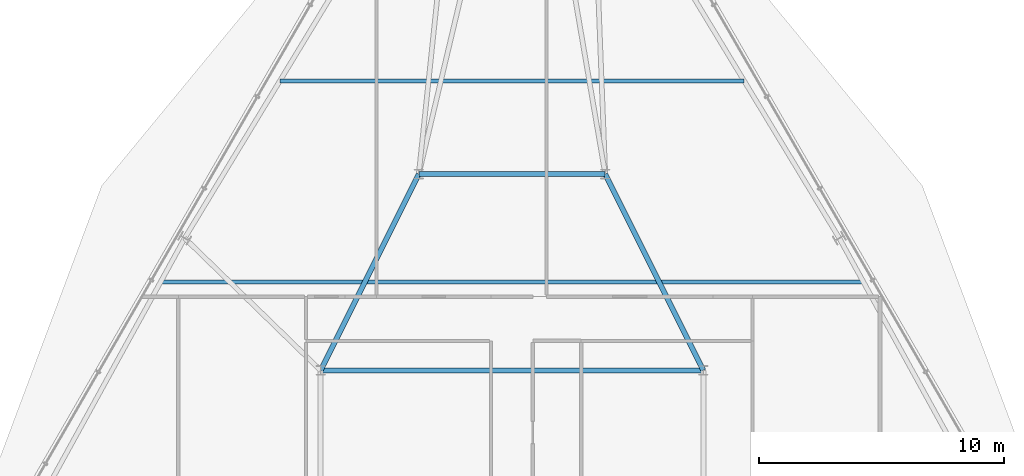
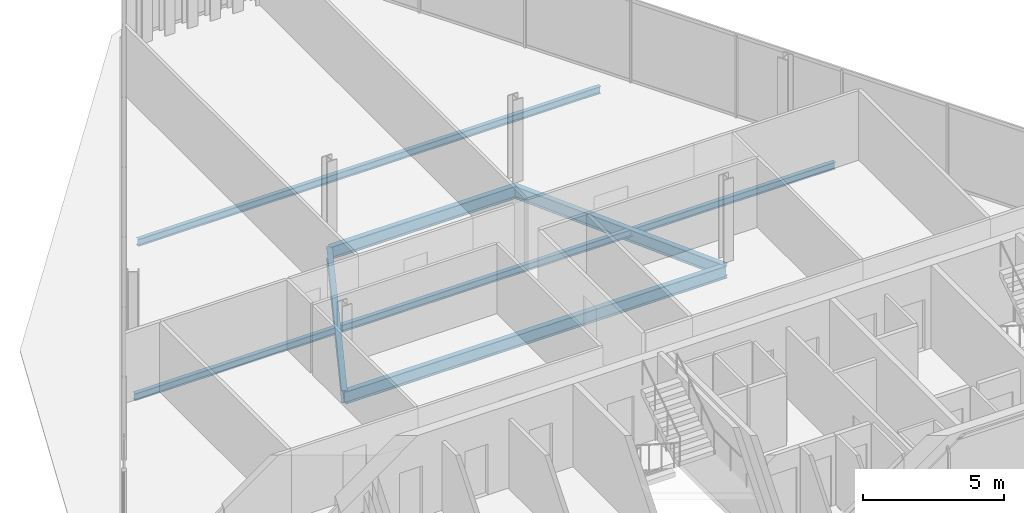
# One storey, part 15 of 37: 6 beams.
"""IFC4 building model written with IfcOpenShell, lengths in metres."""

import ifcopenshell
import ifcopenshell.guid

model = None  # the IFC model being written
_history = None  # IfcOwnerHistory: only IFC2X3 demands one
_inside = {}  # id of a spatial element -> (the spatial element, [elements in it])
_under = {}  # id of a project, library or spatial element -> (it, [spatial elements below it])
_declared = {}  # id of a project -> (the project, [libraries it declares])
_typed = {}  # id of a type object -> (the type object, [elements of that type])
_made_of = {}  # id of a material, layer set ... -> (it, [elements and type objects made of it])


def new_model(schema):
    """Start an empty IFC model of exactly this schema.

    Asked for "IFC4X3", IfcOpenShell would pick the latest addendum, in which some entities
    have other attributes; the version numbers below select the first issue.
    IFC2X3 requires an IfcOwnerHistory on every rooted entity: one is made here for all.
    """
    global model, _history
    if schema == "IFC4X3":
        model = ifcopenshell.file(schema_version=(4, 3, 0, 0))
    else:
        model = ifcopenshell.file(schema=schema)
    _inside.clear()
    _under.clear()
    _declared.clear()
    _typed.clear()
    _made_of.clear()
    _history = None
    if model.schema == "IFC2X3":
        org = make("IfcOrganization", Name="unknown")
        user = make(
            "IfcPersonAndOrganization",
            ThePerson=make("IfcPerson", FamilyName="unknown"),
            TheOrganization=org,
        )
        app = make(
            "IfcApplication",
            ApplicationDeveloper=org,
            Version="unknown",
            ApplicationFullName="unknown",
            ApplicationIdentifier="unknown",
        )
        _history = make(
            "IfcOwnerHistory",
            OwningUser=user,
            OwningApplication=app,
            ChangeAction="ADDED",
            CreationDate=0,
        )
    return model


def make(cls, **values):
    """One entity of the class cls with the attributes given. An attribute that is None is left unset."""
    return model.create_entity(
        cls, **{name: value for name, value in values.items() if value is not None}
    )


def rooted(cls, **values):
    """An entity with a GlobalId (a new one), such as an element, a storey or a relation."""
    return make(cls, GlobalId=ifcopenshell.guid.new(), OwnerHistory=_history, **values)


def si_unit(unit_type, name, prefix=None):
    """IfcSIUnit, for example si_unit("LENGTHUNIT", "METRE", prefix="MILLI")."""
    return make("IfcSIUnit", UnitType=unit_type, Prefix=prefix, Name=name)


def assignment(units):
    """IfcUnitAssignment: the units of a project."""
    return None if units is None else make("IfcUnitAssignment", Units=units)


def point(xyz):
    """IfcCartesianPoint."""
    return None if xyz is None else make("IfcCartesianPoint", Coordinates=xyz)


def direction(xyz):
    """IfcDirection."""
    return None if xyz is None else make("IfcDirection", DirectionRatios=xyz)


def frame(location, z_axis=None, x_axis=None):
    """IfcAxis2Placement3D, a coordinate frame: its origin and axes. An axis left out is left unset."""
    return make(
        "IfcAxis2Placement3D",
        Location=point(location),
        Axis=direction(z_axis),
        RefDirection=direction(x_axis),
    )


def frame_2d(location, x_axis=None):
    """IfcAxis2Placement2D, a coordinate frame in the plane: its origin and x axis."""
    return make(
        "IfcAxis2Placement2D", Location=point(location), RefDirection=direction(x_axis)
    )


def origin():
    """The frame at (0, 0, 0) with its axes left unset."""
    return frame((0.0, 0.0, 0.0))


def origin_2d():
    """The frame at (0, 0) in the plane with its x axis left unset."""
    return frame_2d((0.0, 0.0))


def place(relative_to, where):
    """IfcLocalPlacement: puts the frame where relative to a parent placement (None: the world)."""
    return make(
        "IfcLocalPlacement", PlacementRelTo=relative_to, RelativePlacement=where
    )


def context(
    kind, dimensions, precision=None, world=None, true_north=None, identifier=None
):
    """IfcGeometricRepresentationContext, for example the 3D "Model" context."""
    return make(
        "IfcGeometricRepresentationContext",
        ContextIdentifier=identifier,
        ContextType=kind,
        CoordinateSpaceDimension=dimensions,
        Precision=precision,
        WorldCoordinateSystem=world,
        TrueNorth=true_north,
    )


def subcontext(parent, identifier, kind, view, scale=None):
    """IfcGeometricRepresentationSubContext, for example "Body" below "Model"."""
    return make(
        "IfcGeometricRepresentationSubContext",
        ContextIdentifier=identifier,
        ContextType=kind,
        ParentContext=parent,
        TargetScale=scale,
        TargetView=view,
    )


def project(units=None, contexts=None):
    """IfcProject with its units and contexts."""
    return rooted(
        "IfcProject",
        Name="project",
        RepresentationContexts=contexts,
        UnitsInContext=assignment(units),
    )


def spatial(cls, under=None, at=None, **own):
    """A site, building, storey or space (cls), placed at a placement, below another one or the project."""
    s = rooted(cls, ObjectPlacement=at, **own)
    if under is not None:
        _under.setdefault(under.id(), (under, []))[1].append(s)
    return s


def profile(cls, at=None, kind="AREA", **sizes):
    """A parametric profile (cls). Its sizes go by their IFC names, for example OverallWidth=200.0."""
    return make(cls, ProfileType=kind, Position=at, **sizes)


def i_section(**sizes):
    """IfcIShapeProfileDef."""
    return profile("IfcIShapeProfileDef", **sizes)


def extrude(swept, where, along, depth):
    """IfcExtrudedAreaSolid: the profile swept, set in the frame where, extruded along a direction by depth."""
    return make(
        "IfcExtrudedAreaSolid",
        SweptArea=swept,
        Position=where,
        ExtrudedDirection=direction(along),
        Depth=depth,
    )


def shape(context_of_items, identifier, shape_type, items):
    """IfcShapeRepresentation: the items that make up one representation, for example the "Body"."""
    return make(
        "IfcShapeRepresentation",
        ContextOfItems=context_of_items,
        RepresentationIdentifier=identifier,
        RepresentationType=shape_type,
        Items=items,
    )


def material(Name=None, Category=None):
    """IfcMaterial."""
    return make("IfcMaterial", Name=Name, Category=Category)


def material_profile(
    of_material, cross_section, Name=None, Category=None, Priority=None
):
    """IfcMaterialProfile: a cross section and its material."""
    return make(
        "IfcMaterialProfile",
        Name=Name,
        Material=of_material,
        Profile=cross_section,
        Priority=Priority,
        Category=Category,
    )


def profile_set(profiles, Name=None, composite=None):
    """IfcMaterialProfileSet."""
    return make(
        "IfcMaterialProfileSet",
        Name=Name,
        MaterialProfiles=profiles,
        CompositeProfile=composite,
    )


def made_of(thing, what):
    """Note that an element or type object is made of a material, layer set ...; save() writes the relation."""
    if what is not None:
        _made_of.setdefault(what.id(), (what, []))[1].append(thing)
    return thing


def type_object(cls, material=None, **own):
    """A type object (cls), such as IfcWallType, which elements share."""
    return made_of(rooted(cls, **own), material)


def element(
    cls,
    number,
    at=None,
    inside=None,
    cuts=None,
    type_object=None,
    material=None,
    context=None,
    identifier="Body",
    shape_type=None,
    held_by="IfcProductDefinitionShape",
    body=None,
    shapes=None,
    **own,
):
    """One element of the class cls, such as IfcWall. Its Tag is "e" and its number.

    at: its placement. inside: the storey or other place that contains it. cuts: it is an
    opening in that element (IfcRelVoidsElement). A single representation is given by context,
    identifier, shape_type and body (its items); several are given by shapes. held_by: the class
    of the entity that holds the representations. save() writes the other relations.
    """
    e = rooted(cls, Tag="e%d" % number, ObjectPlacement=at, **own)
    if body is not None:
        shapes = [shape(context, identifier, shape_type, body)]
    if shapes is not None:
        e.Representation = make(held_by, Representations=shapes)
    if inside is not None:
        _inside.setdefault(inside.id(), (inside, []))[1].append(e)
    if cuts is not None:
        rooted(
            "IfcRelVoidsElement", RelatingBuildingElement=cuts, RelatedOpeningElement=e
        )
    if type_object is not None:
        _typed.setdefault(type_object.id(), (type_object, []))[1].append(e)
    return made_of(e, material)


def aggregate(whole, parts):
    """IfcRelAggregates: a whole, such as a stair, and the parts it consists of."""
    return rooted("IfcRelAggregates", RelatingObject=whole, RelatedObjects=parts)


def save(model, path):
    """Write the relations noted so far, then the file.

    IfcRelAggregates (storeys below a building ...), IfcRelContainedInSpatialStructure (elements
    in a storey), IfcRelDefinesByType, IfcRelAssociatesMaterial and IfcRelDeclares: one each for
    every whole, place, type object, material and project.
    """
    for whole, parts in _under.values():
        aggregate(whole, parts)
    for where, things in _inside.values():
        rooted(
            "IfcRelContainedInSpatialStructure",
            RelatedElements=things,
            RelatingStructure=where,
        )
    for kind, things in _typed.values():
        rooted("IfcRelDefinesByType", RelatedObjects=things, RelatingType=kind)
    for what, things in _made_of.values():
        rooted("IfcRelAssociatesMaterial", RelatedObjects=things, RelatingMaterial=what)
    for by, libraries in _declared.values():
        rooted("IfcRelDeclares", RelatingContext=by, RelatedDefinitions=libraries)
    model.write(path)


model = new_model("IFC4")

# Units and contexts
model_context = context("Model", 3, precision=1e-05, world=origin(), true_north=direction((0.0, 1.0)))
body_context = subcontext(model_context, "Body", "Model", "MODEL_VIEW")
ifc_project = project(units=[si_unit("LENGTHUNIT", "METRE"), si_unit("AREAUNIT", "SQUARE_METRE"), si_unit("VOLUMEUNIT", "CUBIC_METRE"), si_unit("PLANEANGLEUNIT", "RADIAN"), si_unit("MASSUNIT", "GRAM", prefix="KILO")], contexts=[model_context])

# Site, building, storey
site_placement = place(None, origin())
site = spatial("IfcSite", under=ifc_project, at=site_placement, CompositionType="ELEMENT")
building_placement = place(site_placement, origin())
building = spatial("IfcBuilding", under=site, at=building_placement, Name="Ndaravel Arena Tower", CompositionType="ELEMENT")
storey_placement = place(building_placement, frame((0.0, 0.0, 218.0)))
storey = spatial("IfcBuildingStorey", under=building, at=storey_placement, Name="L52", CompositionType="ELEMENT", Elevation=218.0)

# Beams
ifc_material_1 = material(Name="Steel S355", Category="steel")
ifc_material_profile_1 = material_profile(ifc_material_1, i_section(OverallWidth=0.210693359375, OverallDepth=0.53955078125, WebThickness=0.01171875, FlangeThickness=0.018798828125, FilletRadius=0.0126953125, at=origin_2d()), Name="UB 533x210x109")
ifc_profile_set_1 = profile_set([ifc_material_profile_1], Name="Steel S355")
beam_type_1 = type_object("IfcBeamType", Name="BM-GIRD-UB533", PredefinedType="BEAM", material=ifc_profile_set_1)
beam_1_placement = place(storey_placement, frame((34.199951171875, 23.199951171875, -0.48974609375), z_axis=(1.0, 0.0, 0.0), x_axis=(0.0, 1.0, 0.0)))
element("IfcBeam", 1, at=beam_1_placement, inside=storey, type_object=beam_type_1, Name="L52 Spine Link Girder SLG-03", PredefinedType="BEAM", context=body_context, shape_type="SweptSolid", body=[
    extrude(i_section(OverallWidth=0.210693359375, OverallDepth=0.53955078125, WebThickness=0.01171875, FlangeThickness=0.018798828125, FilletRadius=0.0126953125, at=origin_2d()), origin(), (0.0, 0.0, 1.0), 15.60009765625),
])
for number, where, z_axis, x_axis, name in (
    (2, (34.199951171875, 23.199951171875, -0.48974609375), (0.4472135955, 0.894427191, 0.0), (-0.894427191, 0.4472135955, 0.0), "L52 Spine Link Girder SLG-04"),
    (3, (49.800048828125, 23.199951171875, -0.48974609375), (-0.4472135955, 0.894427191, 0.0), (-0.894427191, -0.4472135955, 0.0), "L52 Spine Link Girder SLG-05"),
):
    element("IfcBeam", number, at=place(storey_placement, frame(where, z_axis=z_axis, x_axis=x_axis)), inside=storey, type_object=beam_type_1, Name=name, PredefinedType="BEAM", context=body_context, shape_type="SweptSolid", body=[
        extrude(i_section(OverallWidth=0.210693359375, OverallDepth=0.53955078125, WebThickness=0.01171875, FlangeThickness=0.018798828125, FilletRadius=0.0126953125, at=origin_2d()), origin(), (0.0, 0.0, 1.0), 8.9443359375),
    ])
beam_2_placement = place(storey_placement, frame((38.199951171875, 31.199951171875, -0.48974609375), z_axis=(1.0, 0.0, 0.0), x_axis=(0.0, 1.0, 0.0)))
element("IfcBeam", 4, at=beam_2_placement, inside=storey, type_object=beam_type_1, Name="L52 Spine Link Girder SLG-06", PredefinedType="BEAM", context=body_context, shape_type="SweptSolid", body=[
    extrude(i_section(OverallWidth=0.210693359375, OverallDepth=0.53955078125, WebThickness=0.01171875, FlangeThickness=0.018798828125, FilletRadius=0.0126953125, at=origin_2d()), origin(), (0.0, 0.0, 1.0), 7.60009765625),
])
ifc_material_2 = material(Name="Steel S355", Category="steel")
ifc_material_profile_2 = material_profile(ifc_material_2, i_section(OverallWidth=0.165771484375, OverallDepth=0.306640625, WebThickness=0.006591796875, FlangeThickness=0.01171875, FilletRadius=0.0087890625, at=origin_2d()), Name="UB 305x165x46")
ifc_profile_set_2 = profile_set([ifc_material_profile_2], Name="Steel S355")
beam_type_2 = type_object("IfcBeamType", Name="BM-JOIST-UB305", PredefinedType="JOIST", material=ifc_profile_set_2)
beam_3_placement = place(storey_placement, frame((27.675048828125, 26.800048828125, -0.373291015625), z_axis=(1.0, 0.0, 0.0), x_axis=(0.0, 1.0, 0.0)))
element("IfcBeam", 5, at=beam_3_placement, inside=storey, type_object=beam_type_2, Name="L52 Composite Floor Joist FJ-02", PredefinedType="JOIST", context=body_context, shape_type="SweptSolid", body=[
    extrude(i_section(OverallWidth=0.165771484375, OverallDepth=0.306640625, WebThickness=0.006591796875, FlangeThickness=0.01171875, FilletRadius=0.0087890625, at=origin_2d()), origin(), (0.0, 0.0, 1.0), 28.64990234375),
])
beam_4_placement = place(storey_placement, frame((32.539306640625, 35.0, -0.373291015625), z_axis=(1.0, 0.0, 0.0), x_axis=(0.0, 1.0, 0.0)))
element("IfcBeam", 6, at=beam_4_placement, inside=storey, type_object=beam_type_2, Name="L52 Composite Floor Joist FJ-03", PredefinedType="JOIST", context=body_context, shape_type="SweptSolid", body=[
    extrude(i_section(OverallWidth=0.165771484375, OverallDepth=0.306640625, WebThickness=0.006591796875, FlangeThickness=0.01171875, FilletRadius=0.0087890625, at=origin_2d()), origin(), (0.0, 0.0, 1.0), 18.92138671875),
])

save(model, "model.ifc")
